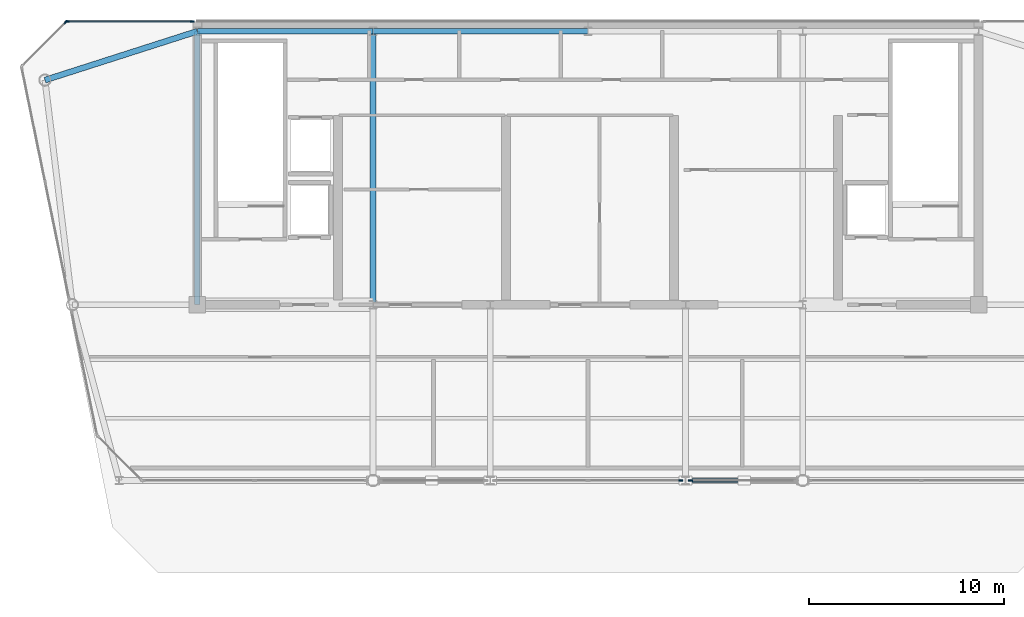
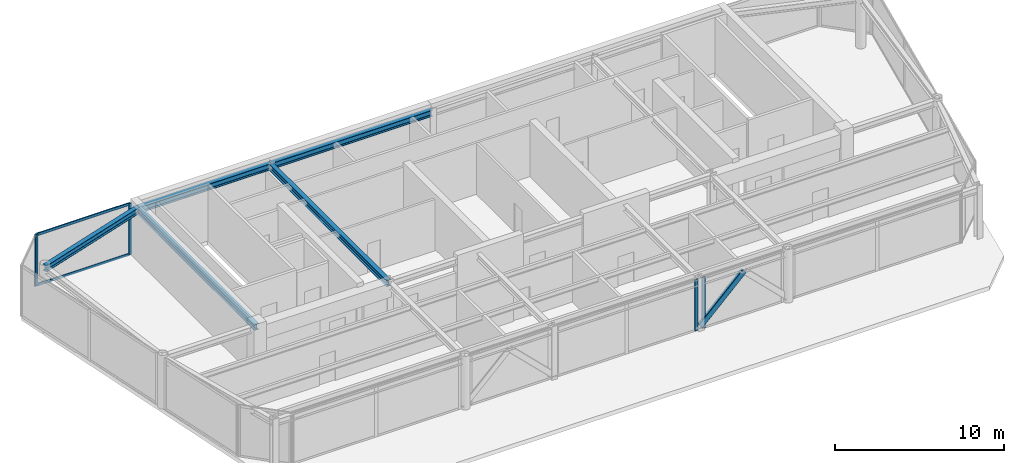
# One storey, part 3 of 7: 8 members, 5 beams, 4 elements without a shape of their own.
"""IFC4 building model written with IfcOpenShell, lengths in metres."""

import ifcopenshell
import ifcopenshell.guid

model = None  # the IFC model being written
_history = None  # IfcOwnerHistory: only IFC2X3 demands one
_inside = {}  # id of a spatial element -> (the spatial element, [elements in it])
_under = {}  # id of a project, library or spatial element -> (it, [spatial elements below it])
_declared = {}  # id of a project -> (the project, [libraries it declares])
_typed = {}  # id of a type object -> (the type object, [elements of that type])
_made_of = {}  # id of a material, layer set ... -> (it, [elements and type objects made of it])


def new_model(schema):
    """Start an empty IFC model of exactly this schema.

    Asked for "IFC4X3", IfcOpenShell would pick the latest addendum, in which some entities
    have other attributes; the version numbers below select the first issue.
    IFC2X3 requires an IfcOwnerHistory on every rooted entity: one is made here for all.
    """
    global model, _history
    if schema == "IFC4X3":
        model = ifcopenshell.file(schema_version=(4, 3, 0, 0))
    else:
        model = ifcopenshell.file(schema=schema)
    _inside.clear()
    _under.clear()
    _declared.clear()
    _typed.clear()
    _made_of.clear()
    _history = None
    if model.schema == "IFC2X3":
        org = make("IfcOrganization", Name="unknown")
        user = make(
            "IfcPersonAndOrganization",
            ThePerson=make("IfcPerson", FamilyName="unknown"),
            TheOrganization=org,
        )
        app = make(
            "IfcApplication",
            ApplicationDeveloper=org,
            Version="unknown",
            ApplicationFullName="unknown",
            ApplicationIdentifier="unknown",
        )
        _history = make(
            "IfcOwnerHistory",
            OwningUser=user,
            OwningApplication=app,
            ChangeAction="ADDED",
            CreationDate=0,
        )
    return model


def make(cls, **values):
    """One entity of the class cls with the attributes given. An attribute that is None is left unset."""
    return model.create_entity(
        cls, **{name: value for name, value in values.items() if value is not None}
    )


def rooted(cls, **values):
    """An entity with a GlobalId (a new one), such as an element, a storey or a relation."""
    return make(cls, GlobalId=ifcopenshell.guid.new(), OwnerHistory=_history, **values)


def si_unit(unit_type, name, prefix=None):
    """IfcSIUnit, for example si_unit("LENGTHUNIT", "METRE", prefix="MILLI")."""
    return make("IfcSIUnit", UnitType=unit_type, Prefix=prefix, Name=name)


def assignment(units):
    """IfcUnitAssignment: the units of a project."""
    return None if units is None else make("IfcUnitAssignment", Units=units)


def point(xyz):
    """IfcCartesianPoint."""
    return None if xyz is None else make("IfcCartesianPoint", Coordinates=xyz)


def direction(xyz):
    """IfcDirection."""
    return None if xyz is None else make("IfcDirection", DirectionRatios=xyz)


def frame(location, z_axis=None, x_axis=None):
    """IfcAxis2Placement3D, a coordinate frame: its origin and axes. An axis left out is left unset."""
    return make(
        "IfcAxis2Placement3D",
        Location=point(location),
        Axis=direction(z_axis),
        RefDirection=direction(x_axis),
    )


def frame_2d(location, x_axis=None):
    """IfcAxis2Placement2D, a coordinate frame in the plane: its origin and x axis."""
    return make(
        "IfcAxis2Placement2D", Location=point(location), RefDirection=direction(x_axis)
    )


def origin():
    """The frame at (0, 0, 0) with its axes left unset."""
    return frame((0.0, 0.0, 0.0))


def origin_2d():
    """The frame at (0, 0) in the plane with its x axis left unset."""
    return frame_2d((0.0, 0.0))


def place(relative_to, where):
    """IfcLocalPlacement: puts the frame where relative to a parent placement (None: the world)."""
    return make(
        "IfcLocalPlacement", PlacementRelTo=relative_to, RelativePlacement=where
    )


def context(
    kind, dimensions, precision=None, world=None, true_north=None, identifier=None
):
    """IfcGeometricRepresentationContext, for example the 3D "Model" context."""
    return make(
        "IfcGeometricRepresentationContext",
        ContextIdentifier=identifier,
        ContextType=kind,
        CoordinateSpaceDimension=dimensions,
        Precision=precision,
        WorldCoordinateSystem=world,
        TrueNorth=true_north,
    )


def subcontext(parent, identifier, kind, view, scale=None):
    """IfcGeometricRepresentationSubContext, for example "Body" below "Model"."""
    return make(
        "IfcGeometricRepresentationSubContext",
        ContextIdentifier=identifier,
        ContextType=kind,
        ParentContext=parent,
        TargetScale=scale,
        TargetView=view,
    )


def project(units=None, contexts=None):
    """IfcProject with its units and contexts."""
    return rooted(
        "IfcProject",
        Name="project",
        RepresentationContexts=contexts,
        UnitsInContext=assignment(units),
    )


def spatial(cls, under=None, at=None, **own):
    """A site, building, storey or space (cls), placed at a placement, below another one or the project."""
    s = rooted(cls, ObjectPlacement=at, **own)
    if under is not None:
        _under.setdefault(under.id(), (under, []))[1].append(s)
    return s


def profile(cls, at=None, kind="AREA", **sizes):
    """A parametric profile (cls). Its sizes go by their IFC names, for example OverallWidth=200.0."""
    return make(cls, ProfileType=kind, Position=at, **sizes)


def rectangle(**sizes):
    """IfcRectangleProfileDef."""
    return profile("IfcRectangleProfileDef", **sizes)


def hollow_rectangle(**sizes):
    """IfcRectangleHollowProfileDef."""
    return profile("IfcRectangleHollowProfileDef", **sizes)


def i_section(**sizes):
    """IfcIShapeProfileDef."""
    return profile("IfcIShapeProfileDef", **sizes)


def extrude(swept, where, along, depth):
    """IfcExtrudedAreaSolid: the profile swept, set in the frame where, extruded along a direction by depth."""
    return make(
        "IfcExtrudedAreaSolid",
        SweptArea=swept,
        Position=where,
        ExtrudedDirection=direction(along),
        Depth=depth,
    )


def shape(context_of_items, identifier, shape_type, items):
    """IfcShapeRepresentation: the items that make up one representation, for example the "Body"."""
    return make(
        "IfcShapeRepresentation",
        ContextOfItems=context_of_items,
        RepresentationIdentifier=identifier,
        RepresentationType=shape_type,
        Items=items,
    )


def source(mapping_origin, context_of_items, identifier, shape_type, items):
    """IfcRepresentationMap: a shape defined once, which mapped items show again and again."""
    return make(
        "IfcRepresentationMap",
        MappingOrigin=mapping_origin,
        MappedRepresentation=shape(context_of_items, identifier, shape_type, items),
    )


def transform(
    local_origin,
    x_axis=None,
    y_axis=None,
    z_axis=None,
    scale=None,
    scale2=None,
    scale3=None,
    uniform=True,
):
    """IfcCartesianTransformationOperator3D, or its non-uniform kind. x_axis, y_axis, z_axis: its Axis1, 2, 3."""
    if uniform:
        return make(
            "IfcCartesianTransformationOperator3D",
            Axis1=direction(x_axis),
            Axis2=direction(y_axis),
            LocalOrigin=point(local_origin),
            Scale=scale,
            Axis3=direction(z_axis),
        )
    return make(
        "IfcCartesianTransformationOperator3DnonUniform",
        Axis1=direction(x_axis),
        Axis2=direction(y_axis),
        LocalOrigin=point(local_origin),
        Scale=scale,
        Axis3=direction(z_axis),
        Scale2=scale2,
        Scale3=scale3,
    )


def mapped(mapping_source, mapping_target):
    """IfcMappedItem: shows the shape of a source again, moved by a transform."""
    return make(
        "IfcMappedItem", MappingSource=mapping_source, MappingTarget=mapping_target
    )


def material(Name=None, Category=None):
    """IfcMaterial."""
    return make("IfcMaterial", Name=Name, Category=Category)


def layer(
    of_material, thickness, ventilated=None, Name=None, Category=None, Priority=None
):
    """IfcMaterialLayer: one layer of a wall or slab, of a material (None: an air gap)."""
    return make(
        "IfcMaterialLayer",
        Material=of_material,
        LayerThickness=thickness,
        IsVentilated=ventilated,
        Name=Name,
        Category=Category,
        Priority=Priority,
    )


def layer_set(layers, Name=None):
    """IfcMaterialLayerSet."""
    return make("IfcMaterialLayerSet", MaterialLayers=layers, LayerSetName=Name)


def material_profile(
    of_material, cross_section, Name=None, Category=None, Priority=None
):
    """IfcMaterialProfile: a cross section and its material."""
    return make(
        "IfcMaterialProfile",
        Name=Name,
        Material=of_material,
        Profile=cross_section,
        Priority=Priority,
        Category=Category,
    )


def profile_set(profiles, Name=None, composite=None):
    """IfcMaterialProfileSet."""
    return make(
        "IfcMaterialProfileSet",
        Name=Name,
        MaterialProfiles=profiles,
        CompositeProfile=composite,
    )


def made_of(thing, what):
    """Note that an element or type object is made of a material, layer set ...; save() writes the relation."""
    if what is not None:
        _made_of.setdefault(what.id(), (what, []))[1].append(thing)
    return thing


def type_object(cls, material=None, **own):
    """A type object (cls), such as IfcWallType, which elements share."""
    return made_of(rooted(cls, **own), material)


def element(
    cls,
    number,
    at=None,
    inside=None,
    cuts=None,
    type_object=None,
    material=None,
    context=None,
    identifier="Body",
    shape_type=None,
    held_by="IfcProductDefinitionShape",
    body=None,
    shapes=None,
    **own,
):
    """One element of the class cls, such as IfcWall. Its Tag is "e" and its number.

    at: its placement. inside: the storey or other place that contains it. cuts: it is an
    opening in that element (IfcRelVoidsElement). A single representation is given by context,
    identifier, shape_type and body (its items); several are given by shapes. held_by: the class
    of the entity that holds the representations. save() writes the other relations.
    """
    e = rooted(cls, Tag="e%d" % number, ObjectPlacement=at, **own)
    if body is not None:
        shapes = [shape(context, identifier, shape_type, body)]
    if shapes is not None:
        e.Representation = make(held_by, Representations=shapes)
    if inside is not None:
        _inside.setdefault(inside.id(), (inside, []))[1].append(e)
    if cuts is not None:
        rooted(
            "IfcRelVoidsElement", RelatingBuildingElement=cuts, RelatedOpeningElement=e
        )
    if type_object is not None:
        _typed.setdefault(type_object.id(), (type_object, []))[1].append(e)
    return made_of(e, material)


def aggregate(whole, parts):
    """IfcRelAggregates: a whole, such as a stair, and the parts it consists of."""
    return rooted("IfcRelAggregates", RelatingObject=whole, RelatedObjects=parts)


def save(model, path):
    """Write the relations noted so far, then the file.

    IfcRelAggregates (storeys below a building ...), IfcRelContainedInSpatialStructure (elements
    in a storey), IfcRelDefinesByType, IfcRelAssociatesMaterial and IfcRelDeclares: one each for
    every whole, place, type object, material and project.
    """
    for whole, parts in _under.values():
        aggregate(whole, parts)
    for where, things in _inside.values():
        rooted(
            "IfcRelContainedInSpatialStructure",
            RelatedElements=things,
            RelatingStructure=where,
        )
    for kind, things in _typed.values():
        rooted("IfcRelDefinesByType", RelatedObjects=things, RelatingType=kind)
    for what, things in _made_of.values():
        rooted("IfcRelAssociatesMaterial", RelatedObjects=things, RelatingMaterial=what)
    for by, libraries in _declared.values():
        rooted("IfcRelDeclares", RelatingContext=by, RelatedDefinitions=libraries)
    model.write(path)


model = new_model("IFC4")

# Units and contexts
model_context = context("Model", 3, precision=1e-05, world=origin(), true_north=direction((0.0, 1.0)))
body_context = subcontext(model_context, "Body", "Model", "MODEL_VIEW")
ifc_project = project(units=[si_unit("LENGTHUNIT", "METRE"), si_unit("AREAUNIT", "SQUARE_METRE"), si_unit("VOLUMEUNIT", "CUBIC_METRE"), si_unit("PLANEANGLEUNIT", "RADIAN"), si_unit("MASSUNIT", "GRAM", prefix="KILO")], contexts=[model_context])

# Site, building, storey
site_placement = place(None, origin())
site = spatial("IfcSite", under=ifc_project, at=site_placement, CompositionType="ELEMENT")
building_placement = place(site_placement, origin())
building = spatial("IfcBuilding", under=site, at=building_placement, Name="Vaeldorn Concourse Tower", CompositionType="ELEMENT")
storey_placement = place(building_placement, frame((0.0, 0.0, 312.800048828125)))
storey = spatial("IfcBuildingStorey", under=building, at=storey_placement, Name="L80", CompositionType="ELEMENT", Elevation=312.800048828125)

# Beams
ifc_material_1 = material(Name="Steel S355", Category="steel")
ifc_material_profile_1 = material_profile(ifc_material_1, i_section(OverallWidth=0.300048828125, OverallDepth=0.449951171875, WebThickness=0.013916015625, FlangeThickness=0.02587890625, FilletRadius=0.027099609375, at=origin_2d()), Name="HEB 450")
ifc_profile_set_1 = profile_set([ifc_material_profile_1], Name="Steel S355")
beam_type = type_object("IfcBeamType", Name="BM-PG-HEB450", PredefinedType="BEAM", material=ifc_profile_set_1)
shared_shape_1 = source(origin(), body_context, "Body", "SweptSolid", [
    extrude(i_section(OverallWidth=0.300048828125, OverallDepth=0.449951171875, WebThickness=0.013916015625, FlangeThickness=0.02587890625, FilletRadius=0.027099609375, at=origin_2d()), origin(), (0.0, 0.0, 1.0), 11.0),
])
beam_1_placement = place(storey_placement, frame((23.0, 50.5, 3.474853515625), z_axis=(1.0, 0.0, 0.0), x_axis=(0.0, 1.0, 0.0)))
element("IfcBeam", 1, at=beam_1_placement, inside=storey, type_object=beam_type, Name="Beam BM-L80-C-HC2-C-HC3", PredefinedType="BEAM", context=body_context, shape_type="MappedRepresentation", body=[
    mapped(shared_shape_1, transform((0.0, 0.0, 0.0), scale=1.0)),
])
shared_shape_2 = source(origin(), body_context, "Body", "SweptSolid", [
    extrude(i_section(OverallWidth=0.300048828125, OverallDepth=0.449951171875, WebThickness=0.013916015625, FlangeThickness=0.02587890625, FilletRadius=0.027099609375, at=origin_2d()), origin(), (0.0, 0.0, 1.0), 9.0),
])
beam_2_placement = place(storey_placement, frame((14.0, 50.5, 3.474853515625), z_axis=(1.0, 0.0, 0.0), x_axis=(0.0, 1.0, 0.0)))
element("IfcBeam", 2, at=beam_2_placement, inside=storey, type_object=beam_type, Name="Beam BM-L80-C-HC1-C-HC2", PredefinedType="BEAM", context=body_context, shape_type="MappedRepresentation", body=[
    mapped(shared_shape_2, transform((0.0, 0.0, 0.0), scale=1.0)),
])
shared_shape_3 = source(origin(), body_context, "Body", "SweptSolid", [
    extrude(i_section(OverallWidth=0.300048828125, OverallDepth=0.449951171875, WebThickness=0.013916015625, FlangeThickness=0.02587890625, FilletRadius=0.027099609375, at=origin_2d()), origin(), (0.0, 0.0, 1.0), 14.0),
])
for number, where, z_axis, x_axis, name in (
    (3, (14.0, 36.5, 3.474853515625), (0.0, 1.0, 0.0), (-1.0, 0.0, 0.0), "Beam BM-L80-C-FC1-C-HC1"),
    (4, (23.0, 36.5, 3.474853515625), (0.0, 1.0, 0.0), (-1.0, 0.0, 0.0), "Beam BM-L80-C-FC2-C-HC2"),
):
    element("IfcBeam", number, at=place(storey_placement, frame(where, z_axis=z_axis, x_axis=x_axis)), inside=storey, type_object=beam_type, Name=name, PredefinedType="BEAM", context=body_context, shape_type="MappedRepresentation", body=[
        mapped(shared_shape_3, transform((0.0, 0.0, 0.0), scale=1.0)),
    ])
shared_shape_4 = source(origin(), body_context, "Body", "SweptSolid", [
    extrude(i_section(OverallWidth=0.300048828125, OverallDepth=0.449951171875, WebThickness=0.013916015625, FlangeThickness=0.02587890625, FilletRadius=0.027099609375, at=origin_2d()), origin(), (0.0, 0.0, 1.0), 8.19091796875),
])
beam_3_placement = place(storey_placement, frame((6.199951171875, 48.0, 3.474853515625), z_axis=(0.952282843383, 0.305216949396, 0.0), x_axis=(-0.305216949396, 0.952282843383, 0.0)))
element("IfcBeam", 5, at=beam_3_placement, inside=storey, type_object=beam_type, Name="Beam BM-L80-C-NW1-C-HC1", PredefinedType="BEAM", context=body_context, shape_type="MappedRepresentation", body=[
    mapped(shared_shape_4, transform((0.0, 0.0, 0.0), scale=1.0)),
])

# Member
ifc_material_profile_2 = material_profile(ifc_material_1, hollow_rectangle(XDim=0.199951171875, YDim=0.39990234375, WallThickness=0.01611328125, InnerFilletRadius=0.01611328125, OuterFilletRadius=0.031982421875, at=origin_2d()), Name="RHS 400x200x16")
ifc_profile_set_2 = profile_set([ifc_material_profile_2], Name="Steel S355")
member_type_1 = type_object("IfcMemberType", Name="MB-CRN-STRUT", PredefinedType="STRUT", material=ifc_profile_set_2)
shared_shape_5 = source(origin(), body_context, "Body", "SweptSolid", [
    extrude(hollow_rectangle(XDim=0.199951171875, YDim=0.39990234375, WallThickness=0.01611328125, InnerFilletRadius=0.01611328125, OuterFilletRadius=0.031982421875, at=origin_2d()), origin(), (0.0, 0.0, 1.0), 4.20751953125),
])
member_1_placement = place(storey_placement, frame((39.0, 27.5, 0.25), z_axis=(0.713029481615, 0.0, 0.701134051624), x_axis=(0.0, 1.0, 0.0)))
element("IfcMember", 6, at=member_1_placement, inside=storey, type_object=member_type_1, Name="Crown Frame Brace Strut L80-2A", PredefinedType="STRUT", context=body_context, shape_type="MappedRepresentation", body=[
    mapped(shared_shape_5, transform((0.0, 0.0, 0.0), scale=1.0)),
])

# Curtain wall, members
ifc_material_2 = material(Name="Anodised Bronze Aluminium", Category="aluminium")
ifc_layer = layer(ifc_material_2, 0.22998046875)
ifc_layer_set = layer_set([ifc_layer], Name="Anodised Bronze Aluminium")
curtain_wall_type = type_object("IfcCurtainWallType", Name="CW-SYS-07", PredefinedType="NOTDEFINED", material=ifc_layer_set)
curtain_wall_1_placement = place(storey_placement, origin())
curtain_wall_1 = element("IfcCurtainWall", 7, at=curtain_wall_1_placement, inside=storey, type_object=curtain_wall_type, Name="Unitised Curtain Wall CW-L80-E05-2", PredefinedType="NOTDEFINED")
ifc_material_profile_3 = material_profile(ifc_material_2, rectangle(XDim=0.074951171875, YDim=0.179931640625, at=origin_2d()), Name="CWT 75x180")
ifc_profile_set_3 = profile_set([ifc_material_profile_3], Name="Anodised Bronze Aluminium")
member_type_2 = type_object("IfcMemberType", Name="CWT-BRONZE-180", PredefinedType="USERDEFINED", material=ifc_profile_set_3)
shared_shape_6 = source(origin(), body_context, "Body", "SweptSolid", [
    extrude(rectangle(XDim=0.074951171875, YDim=0.179931640625, at=origin_2d()), origin(), (0.0, 0.0, 1.0), 6.330078125),
])
member_2_placement = place(storey_placement, frame((13.705078125, 51.0, 0.037353515625), z_axis=(-1.0, 0.0, 0.0), x_axis=(0.0, -1.0, 0.0)))
member_2 = element("IfcMember", 8, at=member_2_placement, type_object=member_type_2, Name="CW-07 transom 1.1", ObjectType="TRANSOM", PredefinedType="USERDEFINED", context=body_context, shape_type="MappedRepresentation", body=[
    mapped(shared_shape_6, transform((0.0, 0.0, 0.0), scale=1.0)),
])
member_3_placement = place(storey_placement, frame((13.705078125, 51.0, 3.662353515625), z_axis=(-1.0, 0.0, 0.0), x_axis=(0.0, -1.0, 0.0)))
member_3 = element("IfcMember", 9, at=member_3_placement, type_object=member_type_2, Name="CW-07 transom 1.2", ObjectType="TRANSOM", PredefinedType="USERDEFINED", context=body_context, shape_type="MappedRepresentation", body=[
    mapped(shared_shape_6, transform((0.0, 0.0, 0.0), scale=1.0)),
])

# Curtain wall, member
curtain_wall_2_placement = place(storey_placement, origin())
curtain_wall_2 = element("IfcCurtainWall", 10, at=curtain_wall_2_placement, inside=storey, type_object=curtain_wall_type, Name="Unitised Curtain Wall CW-L80-E01-3", PredefinedType="NOTDEFINED")
ifc_material_profile_4 = material_profile(ifc_material_2, rectangle(XDim=0.074951171875, YDim=0.219970703125, at=origin_2d()), Name="CWM 75x220")
ifc_profile_set_4 = profile_set([ifc_material_profile_4], Name="Anodised Bronze Aluminium")
member_type_3 = type_object("IfcMemberType", Name="CWM-BRONZE-220", PredefinedType="MULLION", material=ifc_profile_set_4)
shared_shape_7 = source(origin(), body_context, "Body", "SweptSolid", [
    extrude(rectangle(XDim=0.074951171875, YDim=0.219970703125, at=origin_2d()), origin(), (0.0, 0.0, 1.0), 3.699951171875),
])
member_4_placement = place(storey_placement, frame((38.75341796875, 27.5, 0.0), z_axis=(0.0, 0.0, 1.0), x_axis=(0.0, 1.0, 0.0)))
member_4 = element("IfcMember", 11, at=member_4_placement, type_object=member_type_3, Name="CW-07 mullion 3", PredefinedType="MULLION", context=body_context, shape_type="MappedRepresentation", body=[
    mapped(shared_shape_7, transform((0.0, 0.0, 0.0), scale=1.0)),
])
aggregate(curtain_wall_2, [member_4])

curtain_wall_3_placement = place(storey_placement, origin())
curtain_wall_3 = element("IfcCurtainWall", 12, at=curtain_wall_3_placement, inside=storey, type_object=curtain_wall_type, Name="Unitised Curtain Wall CW-L80-E01-4", PredefinedType="NOTDEFINED")
member_5_placement = place(storey_placement, frame((39.24658203125, 27.5, 0.0), z_axis=(0.0, 0.0, 1.0), x_axis=(0.0, 1.0, 0.0)))
member_5 = element("IfcMember", 13, at=member_5_placement, type_object=member_type_3, Name="CW-07 mullion 1", PredefinedType="MULLION", context=body_context, shape_type="MappedRepresentation", body=[
    mapped(shared_shape_7, transform((0.0, 0.0, 0.0), scale=1.0)),
])
aggregate(curtain_wall_3, [member_5])

# Member
member_6_placement = place(storey_placement, frame((13.742431640625, 51.0, 0.0), z_axis=(0.0, 0.0, 1.0), x_axis=(0.0, -1.0, 0.0)))
member_6 = element("IfcMember", 14, at=member_6_placement, type_object=member_type_3, Name="CW-07 mullion 1", PredefinedType="MULLION", context=body_context, shape_type="MappedRepresentation", body=[
    mapped(shared_shape_7, transform((0.0, 0.0, 0.0), scale=1.0)),
])

member_7_placement = place(storey_placement, frame((7.33740234375, 51.0, 0.0), z_axis=(0.0, 0.0, 1.0), x_axis=(0.0, -1.0, 0.0)))
member_7 = element("IfcMember", 15, at=member_7_placement, type_object=member_type_3, Name="CW-07 mullion 2", PredefinedType="MULLION", context=body_context, shape_type="MappedRepresentation", body=[
    mapped(shared_shape_7, transform((0.0, 0.0, 0.0), scale=1.0)),
])

aggregate(curtain_wall_1, [member_6, member_7, member_2, member_3])

# Curtain wall, member
curtain_wall_4_placement = place(storey_placement, origin())
curtain_wall_4 = element("IfcCurtainWall", 16, at=curtain_wall_4_placement, inside=storey, type_object=curtain_wall_type, Name="Unitised Curtain Wall CW-L80-E06-1", PredefinedType="NOTDEFINED")
member_8_placement = place(storey_placement, frame((7.2734375, 50.973388671875, 0.0), z_axis=(0.0, 0.0, 1.0), x_axis=(0.707106781187, -0.707106781187, 0.0)))
member_8 = element("IfcMember", 17, at=member_8_placement, type_object=member_type_3, Name="CW-07 mullion 1", PredefinedType="MULLION", context=body_context, shape_type="MappedRepresentation", body=[
    mapped(shared_shape_7, transform((0.0, 0.0, 0.0), scale=1.0)),
])
aggregate(curtain_wall_4, [member_8])

save(model, "model.ifc")
